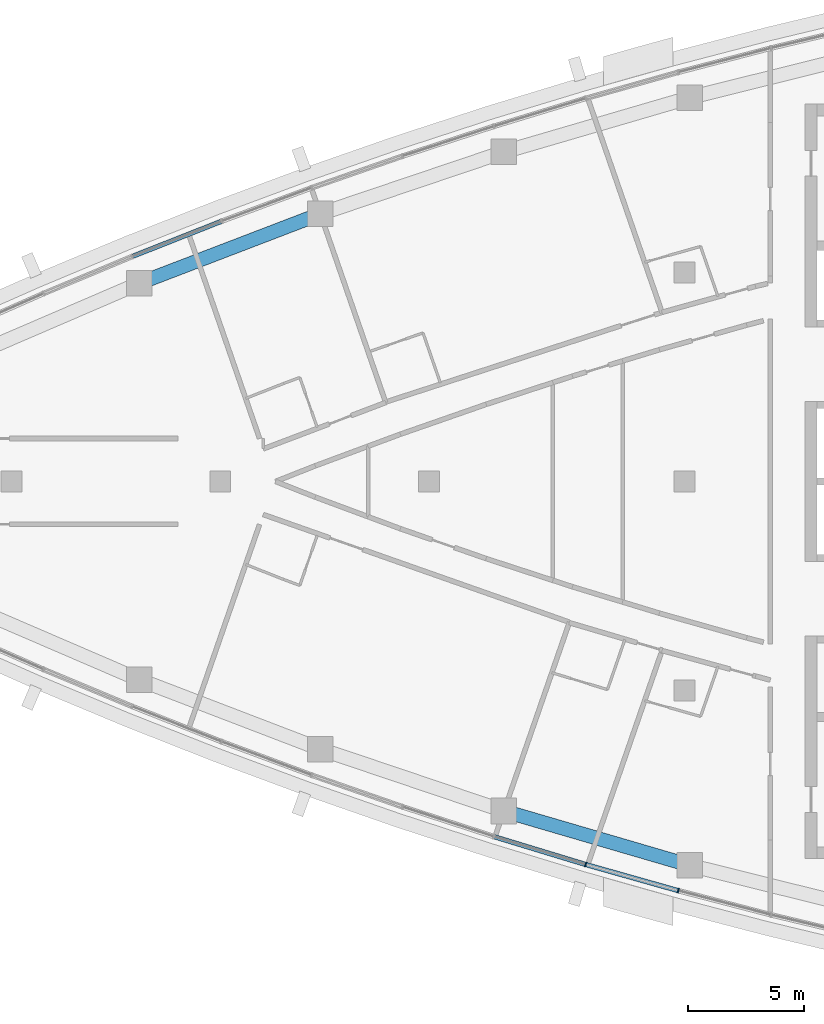
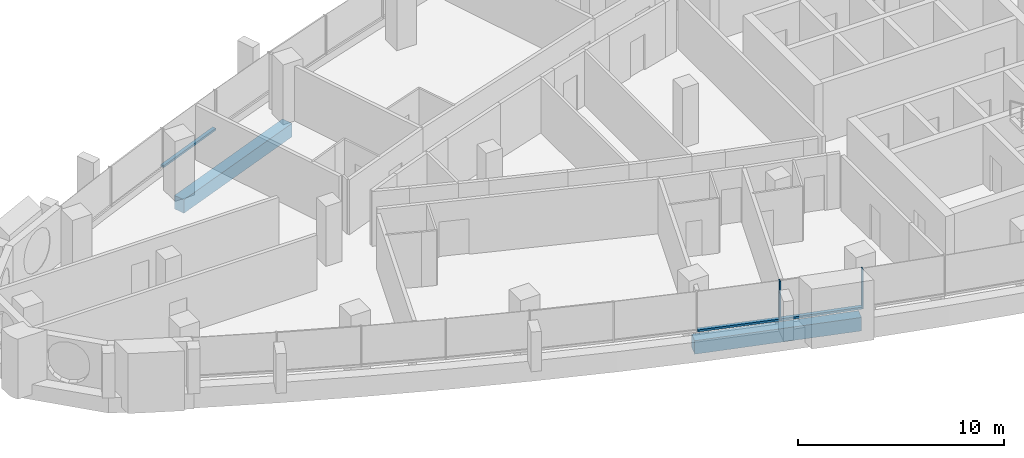
# One storey, part 3 of 14: 5 members, 2 beams, 2 elements without a shape of their own.
"""IFC4 building model written with IfcOpenShell, lengths in metres."""

from ifc_helpers import new_model, si_unit, direction, frame, origin, origin_2d, place, context, subcontext, project, spatial, rectangle, extrude, material, layer, layer_set, material_profile, profile_set, type_object, element, aggregate, save


model = new_model("IFC4")

# Units and contexts
model_context = context("Model", 3, precision=1e-05, world=origin(), true_north=direction((0.0, 1.0)))
body_context = subcontext(model_context, "Body", "Model", "MODEL_VIEW")
ifc_project = project(units=[si_unit("LENGTHUNIT", "METRE"), si_unit("AREAUNIT", "SQUARE_METRE"), si_unit("VOLUMEUNIT", "CUBIC_METRE"), si_unit("PLANEANGLEUNIT", "RADIAN"), si_unit("MASSUNIT", "GRAM", prefix="KILO")], contexts=[model_context])

# Site, building, storey
site_placement = place(None, origin())
site = spatial("IfcSite", under=ifc_project, at=site_placement, CompositionType="ELEMENT")
building_placement = place(site_placement, origin())
building = spatial("IfcBuilding", under=site, at=building_placement, Name="Ostrand Prow Hotel Tower", CompositionType="ELEMENT")
storey_placement = place(building_placement, frame((0.0, 0.0, 271.449951171875)))
storey = spatial("IfcBuildingStorey", under=building, at=storey_placement, Name="L68", CompositionType="ELEMENT", Elevation=271.449951171875)

# Beams
ifc_material_1 = material(Name="Concrete C50/60", Category="concrete")
ifc_material_profile_1 = material_profile(ifc_material_1, rectangle(XDim=0.60009765625, YDim=0.800048828125, at=origin_2d()), Name="RC 600x800")
ifc_profile_set_1 = profile_set([ifc_material_profile_1], Name="Concrete C50/60")
beam_type = type_object("IfcBeamType", Name="Edge beam 600x800 C50/60", PredefinedType="SPANDREL", material=ifc_profile_set_1)
for number, where, z_axis, x_axis, name in (
    (1, (37.22119140625, -14.19580078125, -0.699951171875), (0.959821966031, -0.280609681809, 0.0), (0.280609681809, 0.959821966031, 0.0), "Edge beam S4-S5"),
    (2, (29.31005859375, 11.528076171875, -0.699951171875), (-0.933761753797, -0.357895218111, 0.0), (0.357895218111, -0.933761753797, 0.0), "Edge beam N4-N5"),
):
    element("IfcBeam", number, at=place(storey_placement, frame(where, z_axis=z_axis, x_axis=x_axis)), inside=storey, type_object=beam_type, Name=name, PredefinedType="SPANDREL", context=body_context, shape_type="SweptSolid", body=[
        extrude(rectangle(XDim=0.60009765625, YDim=0.800048828125, at=origin_2d()), origin(), (0.0, 0.0, 1.0), 8.348876953125),
    ])

# Curtain wall, members
ifc_material_2 = material(Name="Insulated glass in bronze anodised frame", Category="glass")
ifc_layer = layer(ifc_material_2, 0.199951171875)
ifc_layer_set = layer_set([ifc_layer], Name="Insulated glass in bronze anodised frame")
curtain_wall_type = type_object("IfcCurtainWallType", Name="Strip curtain wall, fritted glass over bronze spandrel", PredefinedType="NOTDEFINED", material=ifc_layer_set)
curtain_wall_1_placement = place(storey_placement, origin())
curtain_wall_1 = element("IfcCurtainWall", 3, at=curtain_wall_1_placement, inside=storey, type_object=curtain_wall_type, Name="CW1 run CWS4", PredefinedType="NOTDEFINED")
ifc_material_3 = material(Name="Bronze anodised aluminium", Category="aluminium")
ifc_material_profile_2 = material_profile(ifc_material_3, rectangle(XDim=0.199951171875, YDim=0.06005859375, at=origin_2d()), Name="Mullion 60x200 bronze anodised aluminium")
ifc_profile_set_2 = profile_set([ifc_material_profile_2], Name="Bronze anodised aluminium")
member_type_1 = type_object("IfcMemberType", Name="Mullion 60x200 bronze anodised aluminium", PredefinedType="MULLION", material=ifc_profile_set_2)
member_1_placement = place(storey_placement, frame((40.744384765625, -16.502197265625, 0.900146484375), z_axis=(0.0, 0.0, 1.0), x_axis=(0.271648738865, 0.962396468548, 0.0)))
member_1 = element("IfcMember", 4, at=member_1_placement, type_object=member_type_1, Name="CW1 mullion 2", PredefinedType="MULLION", context=body_context, shape_type="SweptSolid", body=[
    extrude(rectangle(XDim=0.199951171875, YDim=0.06005859375, at=origin_2d()), origin(), (0.0, 0.0, 1.0), 2.349853515625),
])
member_2_placement = place(storey_placement, frame((44.728515625, -17.626708984375, 0.900146484375), z_axis=(0.0, 0.0, 1.0), x_axis=(0.271648738865, 0.962396468548, 0.0)))
member_2 = element("IfcMember", 5, at=member_2_placement, type_object=member_type_1, Name="CW1 mullion 3", PredefinedType="MULLION", context=body_context, shape_type="SweptSolid", body=[
    extrude(rectangle(XDim=0.199951171875, YDim=0.06005859375, at=origin_2d()), origin(), (0.0, 0.0, 1.0), 2.349853515625),
])
ifc_material_4 = material(Name="Bronze anodised aluminium", Category="aluminium")
ifc_material_profile_3 = material_profile(ifc_material_4, rectangle(XDim=0.199951171875, YDim=0.1201171875, at=origin_2d()), Name="Transom 120x200 bronze anodised aluminium")
ifc_profile_set_3 = profile_set([ifc_material_profile_3], Name="Bronze anodised aluminium")
member_type_2 = type_object("IfcMemberType", Name="Transom 120x200 bronze anodised aluminium", PredefinedType="USERDEFINED", material=ifc_profile_set_3)
member_3_placement = place(storey_placement, frame((36.8125, -15.306396484375, 0.9599609375), z_axis=(0.956739081124, -0.290947298751, 0.0), x_axis=(0.290947298751, 0.956739081124, 0.0)))
member_3 = element("IfcMember", 6, at=member_3_placement, type_object=member_type_2, Name="CW1 transom 1.1", ObjectType="TRANSOM", PredefinedType="USERDEFINED", context=body_context, shape_type="SweptSolid", body=[
    extrude(rectangle(XDim=0.199951171875, YDim=0.1201171875, at=origin_2d()), origin(), (0.0, 0.0, 1.0), 4.079833984375),
])
member_4_placement = place(storey_placement, frame((40.7734375, -16.51025390625, 0.9599609375), z_axis=(0.962386308628, -0.271684730828, 0.0), x_axis=(0.271684730828, 0.962386308628, 0.0)))
member_4 = element("IfcMember", 7, at=member_4_placement, type_object=member_type_2, Name="CW1 transom 2.1", ObjectType="TRANSOM", PredefinedType="USERDEFINED", context=body_context, shape_type="SweptSolid", body=[
    extrude(rectangle(XDim=0.199951171875, YDim=0.1201171875, at=origin_2d()), origin(), (0.0, 0.0, 1.0), 4.079833984375),
])
aggregate(curtain_wall_1, [member_1, member_2, member_3, member_4])

# Curtain wall, member
curtain_wall_2_placement = place(storey_placement, origin())
curtain_wall_2 = element("IfcCurtainWall", 8, at=curtain_wall_2_placement, inside=storey, type_object=curtain_wall_type, Name="CW1 run CWN4", PredefinedType="NOTDEFINED")
member_5_placement = place(storey_placement, frame((25.0302734375, 11.19921875, 0.9599609375), z_axis=(-0.930289613186, -0.366825892759, 0.0), x_axis=(0.366825892759, -0.930289613186, 0.0)))
member_5 = element("IfcMember", 9, at=member_5_placement, type_object=member_type_2, Name="CW1 transom 2.1", ObjectType="TRANSOM", PredefinedType="USERDEFINED", context=body_context, shape_type="SweptSolid", body=[
    extrude(rectangle(XDim=0.199951171875, YDim=0.1201171875, at=origin_2d()), origin(), (0.0, 0.0, 1.0), 4.079833984375),
])
aggregate(curtain_wall_2, [member_5])

save(model, "model.ifc")
